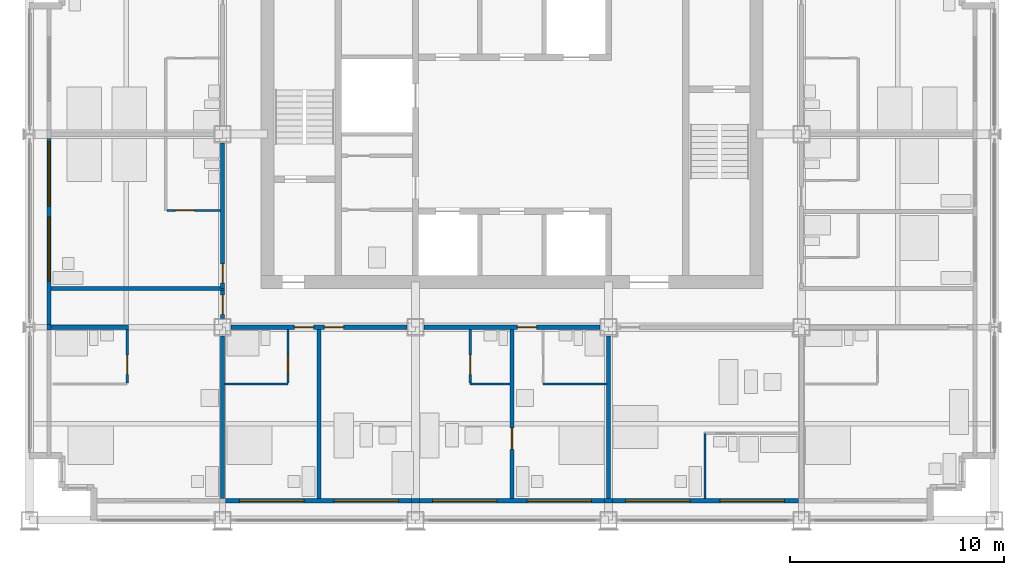
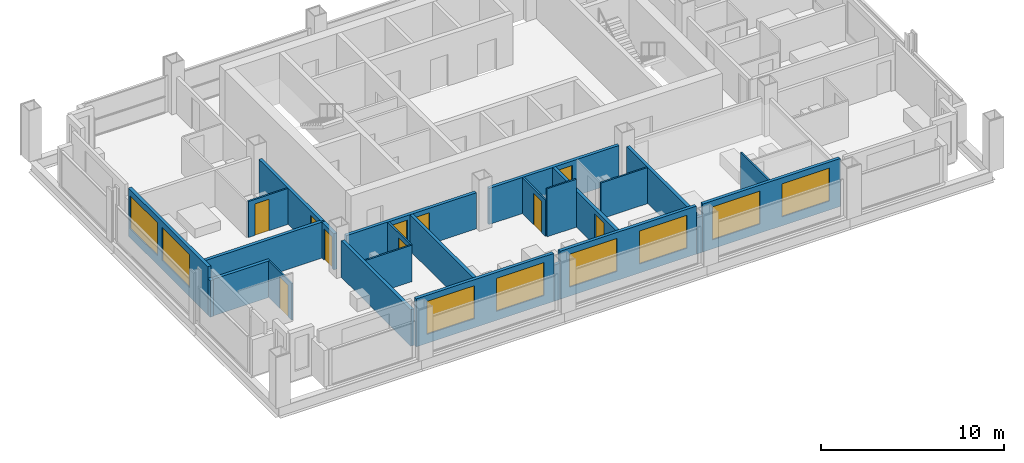
# One storey, part 7 of 13: 25 walls, 10 doors, 8 windows, 18 openings.
"""IFC4 building model written with IfcOpenShell, lengths in metres."""

from ifc_helpers import new_model, si_unit, direction, frame, frame_2d, origin, place, context, subcontext, project, spatial, rectangle, extrude, material, layer, layer_set, type_object, element, fill, save


model = new_model("IFC4")

# Units and contexts
model_context = context("Model", 3, precision=1e-05, world=origin(), true_north=direction((0.0, 1.0)))
body_context = subcontext(model_context, "Body", "Model", "MODEL_VIEW")
ifc_project = project(units=[si_unit("LENGTHUNIT", "METRE"), si_unit("AREAUNIT", "SQUARE_METRE"), si_unit("VOLUMEUNIT", "CUBIC_METRE"), si_unit("PLANEANGLEUNIT", "RADIAN"), si_unit("MASSUNIT", "GRAM", prefix="KILO")], contexts=[model_context])

# Site, building, storey
site_placement = place(None, origin())
site = spatial("IfcSite", under=ifc_project, at=site_placement, CompositionType="ELEMENT")
building_placement = place(site_placement, origin())
building = spatial("IfcBuilding", under=site, at=building_placement, Name="Loomwork Tower", CompositionType="ELEMENT")
storey_placement = place(building_placement, frame((0.0, 0.0, 194.39990234375)))
storey = spatial("IfcBuildingStorey", under=building, at=storey_placement, Name="L53", CompositionType="ELEMENT", Elevation=194.39990234375)

# Wall
ifc_material_1 = material(Name="Gypsum board on steel studs, one-hour", Category="steel")
ifc_layer_1 = layer(ifc_material_1, 0.199951171875)
ifc_layer_set_1 = layer_set([ifc_layer_1], Name="Corridor wall 200")
wall_type_1 = type_object("IfcWallType", Name="Corridor wall 200", PredefinedType="PARTITIONING", material=ifc_layer_set_1)
wall_1_placement = place(storey_placement, frame((1.0, 9.0, 0.0), z_axis=(0.0, 0.0, 1.0), x_axis=(1.0, 0.0, 0.0)))
element("IfcWall", 1, at=wall_1_placement, inside=storey, type_object=wall_type_1, Name="South corridor wall 1", PredefinedType="PARTITIONING", context=body_context, shape_type="SweptSolid", body=[
    extrude(rectangle(XDim=3.60009765625, YDim=0.199951171875, at=frame_2d((1.800048828125, 0.0))), origin(), (0.0, 0.0, 1.0), 2.43798828125),
])

# Wall, openings, doors
wall_2_placement = place(storey_placement, frame((9.39990234375, 9.0, 0.0), z_axis=(0.0, 0.0, 1.0), x_axis=(1.0, 0.0, 0.0)))
wall_2 = element("IfcWall", 2, at=wall_2_placement, inside=storey, type_object=wall_type_1, Name="South corridor wall 2", PredefinedType="PARTITIONING", context=body_context, shape_type="SweptSolid", body=[
    extrude(rectangle(XDim=8.2001953125, YDim=0.199951171875, at=frame_2d((4.10009765625, 0.0))), origin(), (0.0, 0.0, 1.0), 2.405029296875),
])
opening_1_placement = place(wall_2_placement, frame((2.949951171875, 0.0, 0.0)))
opening_1 = element("IfcOpeningElement", 3, at=opening_1_placement, cuts=wall_2, Name="Opening D1", PredefinedType="OPENING", context=body_context, shape_type="SweptSolid", body=[
    extrude(rectangle(XDim=0.89990234375, YDim=2.10009765625, at=frame_2d((0.449951171875, 1.050048828125))), frame((0.0, 0.10986328125, 0.0), z_axis=(0.0, -1.0, 0.0), x_axis=(1.0, 0.0, 0.0)), (0.0, 0.0, 1.0), 0.219970703125),
])
opening_2_placement = place(wall_2_placement, frame((4.35009765625, 0.0, 0.0)))
opening_2 = element("IfcOpeningElement", 4, at=opening_2_placement, cuts=wall_2, Name="Opening D1", PredefinedType="OPENING", context=body_context, shape_type="SweptSolid", body=[
    extrude(rectangle(XDim=0.89990234375, YDim=2.10009765625, at=frame_2d((0.449951171875, 1.050048828125))), frame((0.0, 0.10986328125, 0.0), z_axis=(0.0, -1.0, 0.0), x_axis=(1.0, 0.0, 0.0)), (0.0, 0.0, 1.0), 0.219970703125),
])
ifc_material_2 = material(Name="Hollow metal door and frame")
door_type_1 = type_object("IfcDoorType", Name="Guest room entry door 900", OperationType="SINGLE_SWING_LEFT", PredefinedType="DOOR", material=ifc_material_2)
door_1_placement = place(opening_1_placement, frame((0.89990234375, 0.0, 0.0), z_axis=(0.0, 0.0, 1.0), x_axis=(-1.0, 0.0, 0.0)))
door_1 = element("IfcDoor", 5, at=door_1_placement, inside=storey, type_object=door_type_1, Name="Guest room entry door L53 2", OperationType="SINGLE_SWING_LEFT", OverallHeight=2.10009765625, OverallWidth=0.89990234375, PredefinedType="DOOR", context=body_context, shape_type="SweptSolid", body=[
    extrude(rectangle(XDim=0.89990234375, YDim=2.10009765625, at=frame_2d((0.449951171875, 1.050048828125))), frame((0.0, 0.02490234375, 0.0), z_axis=(0.0, -1.0, 0.0), x_axis=(1.0, 0.0, 0.0)), (0.0, 0.0, 1.0), 0.050048828125),
])
fill(opening_1, door_1)
door_2_placement = place(opening_2_placement, frame((0.89990234375, 0.0, 0.0), z_axis=(0.0, 0.0, 1.0), x_axis=(-1.0, 0.0, 0.0)))
door_2 = element("IfcDoor", 6, at=door_2_placement, inside=storey, type_object=door_type_1, Name="Guest room entry door L53 3", OperationType="SINGLE_SWING_RIGHT", OverallHeight=2.10009765625, OverallWidth=0.89990234375, PredefinedType="DOOR", context=body_context, shape_type="SweptSolid", body=[
    extrude(rectangle(XDim=0.89990234375, YDim=2.10009765625, at=frame_2d((0.449951171875, 1.050048828125))), frame((0.0, 0.02490234375, 0.0), z_axis=(0.0, -1.0, 0.0), x_axis=(1.0, 0.0, 0.0)), (0.0, 0.0, 1.0), 0.050048828125),
])
fill(opening_2, door_2)

# Wall, opening, door
wall_3_placement = place(storey_placement, frame((18.39990234375, 9.0, 0.0), z_axis=(0.0, 0.0, 1.0), x_axis=(1.0, 0.0, 0.0)))
wall_3 = element("IfcWall", 7, at=wall_3_placement, inside=storey, type_object=wall_type_1, Name="South corridor wall 3", PredefinedType="PARTITIONING", context=body_context, shape_type="SweptSolid", body=[
    extrude(rectangle(XDim=8.2001953125, YDim=0.199951171875, at=frame_2d((4.10009765625, 0.0))), origin(), (0.0, 0.0, 1.0), 2.405029296875),
])
opening_3_placement = place(wall_3_placement, frame((4.35009765625, 0.0, 0.0)))
opening_3 = element("IfcOpeningElement", 8, at=opening_3_placement, cuts=wall_3, Name="Opening D1", PredefinedType="OPENING", context=body_context, shape_type="SweptSolid", body=[
    extrude(rectangle(XDim=0.89990234375, YDim=2.10009765625, at=frame_2d((0.449951171875, 1.050048828125))), frame((0.0, 0.10986328125, 0.0), z_axis=(0.0, -1.0, 0.0), x_axis=(1.0, 0.0, 0.0)), (0.0, 0.0, 1.0), 0.219970703125),
])
door_3_placement = place(opening_3_placement, frame((0.89990234375, 0.0, 0.0), z_axis=(0.0, 0.0, 1.0), x_axis=(-1.0, 0.0, 0.0)))
door_3 = element("IfcDoor", 9, at=door_3_placement, inside=storey, type_object=door_type_1, Name="Guest room entry door L53 4", OperationType="SINGLE_SWING_RIGHT", OverallHeight=2.10009765625, OverallWidth=0.89990234375, PredefinedType="DOOR", context=body_context, shape_type="SweptSolid", body=[
    extrude(rectangle(XDim=0.89990234375, YDim=2.10009765625, at=frame_2d((0.449951171875, 1.050048828125))), frame((0.0, 0.02490234375, 0.0), z_axis=(0.0, -1.0, 0.0), x_axis=(1.0, 0.0, 0.0)), (0.0, 0.0, 1.0), 0.050048828125),
])
fill(opening_3, door_3)

wall_4_placement = place(storey_placement, frame((9.0, 10.800048828125, 0.0), z_axis=(0.0, 0.0, 1.0), x_axis=(0.0, 1.0, 0.0)))
wall_4 = element("IfcWall", 10, at=wall_4_placement, inside=storey, type_object=wall_type_1, Name="West corridor wall 1", PredefinedType="PARTITIONING", context=body_context, shape_type="SweptSolid", body=[
    extrude(rectangle(XDim=6.800048828125, YDim=0.199951171875, at=frame_2d((3.39990234375, 0.0))), origin(), (0.0, 0.0, 1.0), 2.405029296875),
])
opening_4_placement = place(wall_4_placement, frame((0.25, 0.0, 0.0)))
opening_4 = element("IfcOpeningElement", 11, at=opening_4_placement, cuts=wall_4, Name="Opening D1", PredefinedType="OPENING", context=body_context, shape_type="SweptSolid", body=[
    extrude(rectangle(XDim=0.89990234375, YDim=2.10009765625, at=frame_2d((0.449951171875, 1.050048828125))), frame((0.0, 0.10986328125, 0.0), z_axis=(0.0, -1.0, 0.0), x_axis=(1.0, 0.0, 0.0)), (0.0, 0.0, 1.0), 0.219970703125),
])
door_4_placement = place(opening_4_placement, origin())
door_4 = element("IfcDoor", 12, at=door_4_placement, inside=storey, type_object=door_type_1, Name="Guest room entry door L53 7", OperationType="SINGLE_SWING_LEFT", OverallHeight=2.10009765625, OverallWidth=0.89990234375, PredefinedType="DOOR", context=body_context, shape_type="SweptSolid", body=[
    extrude(rectangle(XDim=0.89990234375, YDim=2.10009765625, at=frame_2d((0.449951171875, 1.050048828125))), frame((0.0, 0.02490234375, 0.0), z_axis=(0.0, -1.0, 0.0), x_axis=(1.0, 0.0, 0.0)), (0.0, 0.0, 1.0), 0.050048828125),
])
fill(opening_4, door_4)

# Wall
wall_5_placement = place(storey_placement, frame((1.0, 10.800048828125, 0.0), z_axis=(0.0, 0.0, 1.0), x_axis=(1.0, 0.0, 0.0)))
element("IfcWall", 13, at=wall_5_placement, inside=storey, type_object=wall_type_1, Name="West band end wall S", PredefinedType="PARTITIONING", context=body_context, shape_type="SweptSolid", body=[
    extrude(rectangle(XDim=8.10009765625, YDim=0.199951171875, at=frame_2d((4.050048828125, 0.0))), origin(), (0.0, 0.0, 1.0), 2.404052734375),
])

# Wall, opening, door
wall_6_placement = place(storey_placement, frame((9.0, 9.39990234375, 0.0), z_axis=(0.0, 0.0, 1.0), x_axis=(0.0, 1.0, 0.0)))
wall_6 = element("IfcWall", 14, at=wall_6_placement, inside=storey, type_object=wall_type_1, Name="Corner suite foyer wall", PredefinedType="PARTITIONING", context=body_context, shape_type="SweptSolid", body=[
    extrude(rectangle(XDim=1.300048828125, YDim=0.199951171875, at=frame_2d((0.64990234375, 0.0))), origin(), (0.0, 0.0, 1.0), 2.405029296875),
])
opening_5_placement = place(wall_6_placement, frame((0.199951171875, 0.0, 0.0)))
opening_5 = element("IfcOpeningElement", 15, at=opening_5_placement, cuts=wall_6, Name="Opening D1", PredefinedType="OPENING", context=body_context, shape_type="SweptSolid", body=[
    extrude(rectangle(XDim=0.89990234375, YDim=2.10009765625, at=frame_2d((0.449951171875, 1.050048828125))), frame((0.0, 0.10986328125, 0.0), z_axis=(0.0, -1.0, 0.0), x_axis=(1.0, 0.0, 0.0)), (0.0, 0.0, 1.0), 0.219970703125),
])
door_5_placement = place(opening_5_placement, origin())
door_5 = element("IfcDoor", 16, at=door_5_placement, inside=storey, type_object=door_type_1, Name="Guest room entry door L53 1", OperationType="SINGLE_SWING_RIGHT", OverallHeight=2.10009765625, OverallWidth=0.89990234375, PredefinedType="DOOR", context=body_context, shape_type="SweptSolid", body=[
    extrude(rectangle(XDim=0.89990234375, YDim=2.10009765625, at=frame_2d((0.449951171875, 1.050048828125))), frame((0.0, 0.02490234375, 0.0), z_axis=(0.0, -1.0, 0.0), x_axis=(1.0, 0.0, 0.0)), (0.0, 0.0, 1.0), 0.050048828125),
])
fill(opening_5, door_5)

ifc_material_3 = material(Name="Cement board on steel studs", Category="steel")
ifc_layer_2 = layer(ifc_material_3, 0.10009765625)
ifc_layer_set_2 = layer_set([ifc_layer_2], Name="En-suite partition 100")
wall_type_2 = type_object("IfcWallType", Name="En-suite partition 100", PredefinedType="PARTITIONING", material=ifc_layer_set_2)
wall_7_placement = place(storey_placement, frame((4.550048828125, 8.89990234375, 0.0), z_axis=(0.0, 0.0, 1.0), x_axis=(0.0, -1.0, 0.0)))
wall_7 = element("IfcWall", 17, at=wall_7_placement, inside=storey, type_object=wall_type_2, Name="En-suite side wall L53 room 1", PredefinedType="PARTITIONING", context=body_context, shape_type="SweptSolid", body=[
    extrude(rectangle(XDim=2.5, YDim=0.10009765625, at=frame_2d((1.25, 0.0))), origin(), (0.0, 0.0, 1.0), 2.43798828125),
])
opening_6_placement = place(wall_7_placement, frame((1.199951171875, 0.0, 0.0)))
opening_6 = element("IfcOpeningElement", 18, at=opening_6_placement, cuts=wall_7, Name="Opening D3", PredefinedType="OPENING", context=body_context, shape_type="SweptSolid", body=[
    extrude(rectangle(XDim=0.89990234375, YDim=2.10009765625, at=frame_2d((0.449951171875, 1.050048828125))), frame((0.0, 0.06005859375, 0.0), z_axis=(0.0, -1.0, 0.0), x_axis=(1.0, 0.0, 0.0)), (0.0, 0.0, 1.0), 0.1201171875),
])
ifc_material_4 = material(Name="Hollow metal door and frame")
door_type_2 = type_object("IfcDoorType", Name="Accessible en-suite door 900", OperationType="SLIDING_TO_LEFT", PredefinedType="DOOR", material=ifc_material_4)
door_6_placement = place(opening_6_placement, origin())
door_6 = element("IfcDoor", 19, at=door_6_placement, inside=storey, type_object=door_type_2, Name="Accessible en-suite door room 1", OperationType="SLIDING_TO_LEFT", OverallHeight=2.10009765625, OverallWidth=0.89990234375, PredefinedType="DOOR", context=body_context, shape_type="SweptSolid", body=[
    extrude(rectangle(XDim=0.89990234375, YDim=2.10009765625, at=frame_2d((0.449951171875, 1.050048828125))), frame((0.0, 0.02490234375, 0.0), z_axis=(0.0, -1.0, 0.0), x_axis=(1.0, 0.0, 0.0)), (0.0, 0.0, 1.0), 0.050048828125),
])
fill(opening_6, door_6)

# Wall
wall_8_placement = place(storey_placement, frame((9.10009765625, 6.35009765625, 0.0), z_axis=(0.0, 0.0, 1.0), x_axis=(1.0, 0.0, 0.0)))
element("IfcWall", 20, at=wall_8_placement, inside=storey, type_object=wall_type_2, Name="En-suite wall L53 room 2", PredefinedType="PARTITIONING", context=body_context, shape_type="SweptSolid", body=[
    extrude(rectangle(XDim=2.949951171875, YDim=0.10009765625, at=frame_2d((1.47509765625, 0.0))), origin(), (0.0, 0.0, 1.0), 2.43798828125),
])

# Wall, opening, door
wall_9_placement = place(storey_placement, frame((12.050048828125, 8.89990234375, 0.0), z_axis=(0.0, 0.0, 1.0), x_axis=(0.0, -1.0, 0.0)))
wall_9 = element("IfcWall", 21, at=wall_9_placement, inside=storey, type_object=wall_type_2, Name="En-suite side wall L53 room 2", PredefinedType="PARTITIONING", context=body_context, shape_type="SweptSolid", body=[
    extrude(rectangle(XDim=2.5, YDim=0.10009765625, at=frame_2d((1.25, 0.0))), origin(), (0.0, 0.0, 1.0), 2.404052734375),
])
opening_7_placement = place(wall_9_placement, frame((1.199951171875, 0.0, 0.0)))
opening_7 = element("IfcOpeningElement", 22, at=opening_7_placement, cuts=wall_9, Name="Opening D3", PredefinedType="OPENING", context=body_context, shape_type="SweptSolid", body=[
    extrude(rectangle(XDim=0.89990234375, YDim=2.10009765625, at=frame_2d((0.449951171875, 1.050048828125))), frame((0.0, 0.06005859375, 0.0), z_axis=(0.0, -1.0, 0.0), x_axis=(1.0, 0.0, 0.0)), (0.0, 0.0, 1.0), 0.1201171875),
])
door_7_placement = place(opening_7_placement, origin())
door_7 = element("IfcDoor", 23, at=door_7_placement, inside=storey, type_object=door_type_2, Name="Accessible en-suite door room 2", OperationType="SLIDING_TO_LEFT", OverallHeight=2.10009765625, OverallWidth=0.89990234375, PredefinedType="DOOR", context=body_context, shape_type="SweptSolid", body=[
    extrude(rectangle(XDim=0.89990234375, YDim=2.10009765625, at=frame_2d((0.449951171875, 1.050048828125))), frame((0.0, 0.02490234375, 0.0), z_axis=(0.0, -1.0, 0.0), x_axis=(1.0, 0.0, 0.0)), (0.0, 0.0, 1.0), 0.050048828125),
])
fill(opening_7, door_7)

# Wall
wall_10_placement = place(storey_placement, frame((20.550048828125, 6.35009765625, 0.0), z_axis=(0.0, 0.0, 1.0), x_axis=(1.0, 0.0, 0.0)))
element("IfcWall", 24, at=wall_10_placement, inside=storey, type_object=wall_type_2, Name="En-suite wall L53 room 3", PredefinedType="PARTITIONING", context=body_context, shape_type="SweptSolid", body=[
    extrude(rectangle(XDim=1.849853515625, YDim=0.10009765625, at=frame_2d((0.9248046875, 0.0))), origin(), (0.0, 0.0, 1.0), 3.2001953125),
])

# Wall, opening, door
wall_11_placement = place(storey_placement, frame((20.550048828125, 8.89990234375, 0.0), z_axis=(0.0, 0.0, 1.0), x_axis=(0.0, -1.0, 0.0)))
wall_11 = element("IfcWall", 25, at=wall_11_placement, inside=storey, type_object=wall_type_2, Name="En-suite side wall L53 room 3", PredefinedType="PARTITIONING", context=body_context, shape_type="SweptSolid", body=[
    extrude(rectangle(XDim=2.5, YDim=0.10009765625, at=frame_2d((1.25, 0.0))), origin(), (0.0, 0.0, 1.0), 2.404052734375),
])
opening_8_placement = place(wall_11_placement, frame((1.199951171875, 0.0, 0.0)))
opening_8 = element("IfcOpeningElement", 26, at=opening_8_placement, cuts=wall_11, Name="Opening D2", PredefinedType="OPENING", context=body_context, shape_type="SweptSolid", body=[
    extrude(rectangle(XDim=0.89990234375, YDim=2.10009765625, at=frame_2d((0.449951171875, 1.050048828125))), frame((0.0, 0.06005859375, 0.0), z_axis=(0.0, -1.0, 0.0), x_axis=(1.0, 0.0, 0.0)), (0.0, 0.0, 1.0), 0.1201171875),
])
ifc_material_5 = material(Name="Hollow metal door and frame")
door_type_3 = type_object("IfcDoorType", Name="En-suite door 900", OperationType="SINGLE_SWING_LEFT", PredefinedType="DOOR", material=ifc_material_5)
door_8_placement = place(opening_8_placement, origin())
door_8 = element("IfcDoor", 27, at=door_8_placement, inside=storey, type_object=door_type_3, Name="Suite powder room door room 3", OperationType="SINGLE_SWING_RIGHT", OverallHeight=2.10009765625, OverallWidth=0.89990234375, PredefinedType="DOOR", context=body_context, shape_type="SweptSolid", body=[
    extrude(rectangle(XDim=0.89990234375, YDim=2.10009765625, at=frame_2d((0.449951171875, 1.050048828125))), frame((0.0, 0.02490234375, 0.0), z_axis=(0.0, -1.0, 0.0), x_axis=(1.0, 0.0, 0.0)), (0.0, 0.0, 1.0), 0.050048828125),
])
fill(opening_8, door_8)

# Walls
wall_12_placement = place(storey_placement, frame((23.949951171875, 6.35009765625, 0.0), z_axis=(0.0, 0.0, 1.0), x_axis=(1.0, 0.0, 0.0)))
element("IfcWall", 28, at=wall_12_placement, inside=storey, type_object=wall_type_2, Name="En-suite wall L53 room 4", PredefinedType="PARTITIONING", context=body_context, shape_type="SweptSolid", body=[
    extrude(rectangle(XDim=2.949951171875, YDim=0.10009765625, at=frame_2d((1.47509765625, 0.0))), origin(), (0.0, 0.0, 1.0), 2.404052734375),
])
wall_13_placement = place(storey_placement, frame((31.5, 4.050048828125, 0.0), z_axis=(0.0, 0.0, 1.0), x_axis=(0.0, -1.0, 0.0)))
element("IfcWall", 29, at=wall_13_placement, inside=storey, type_object=wall_type_2, Name="Spa bathroom side wall L53 room 5", PredefinedType="PARTITIONING", context=body_context, shape_type="SweptSolid", body=[
    extrude(rectangle(XDim=3.050048828125, YDim=0.10009765625, at=frame_2d((1.52490234375, 0.0))), origin(), (0.0, 0.0, 1.0), 3.2001953125),
])

# Wall, opening, door
wall_14_placement = place(storey_placement, frame((8.89990234375, 14.449951171875, 0.0), z_axis=(0.0, 0.0, 1.0), x_axis=(-1.0, 0.0, 0.0)))
wall_14 = element("IfcWall", 30, at=wall_14_placement, inside=storey, type_object=wall_type_2, Name="En-suite side wall L53 room 7", PredefinedType="PARTITIONING", context=body_context, shape_type="SweptSolid", body=[
    extrude(rectangle(XDim=2.5, YDim=0.10009765625, at=frame_2d((1.25, 0.0))), origin(), (0.0, 0.0, 1.0), 2.404052734375),
])
opening_9_placement = place(wall_14_placement, frame((1.199951171875, 0.0, 0.0)))
opening_9 = element("IfcOpeningElement", 31, at=opening_9_placement, cuts=wall_14, Name="Opening D2", PredefinedType="OPENING", context=body_context, shape_type="SweptSolid", body=[
    extrude(rectangle(XDim=0.89990234375, YDim=2.10009765625, at=frame_2d((0.449951171875, 1.050048828125))), frame((0.0, 0.06005859375, 0.0), z_axis=(0.0, -1.0, 0.0), x_axis=(1.0, 0.0, 0.0)), (0.0, 0.0, 1.0), 0.1201171875),
])
door_9_placement = place(opening_9_placement, frame((0.89990234375, 0.0, 0.0), z_axis=(0.0, 0.0, 1.0), x_axis=(-1.0, 0.0, 0.0)))
door_9 = element("IfcDoor", 32, at=door_9_placement, inside=storey, type_object=door_type_3, Name="En-suite door room 7", OperationType="SINGLE_SWING_LEFT", OverallHeight=2.10009765625, OverallWidth=0.89990234375, PredefinedType="DOOR", context=body_context, shape_type="SweptSolid", body=[
    extrude(rectangle(XDim=0.89990234375, YDim=2.10009765625, at=frame_2d((0.449951171875, 1.050048828125))), frame((0.0, 0.02490234375, 0.0), z_axis=(0.0, -1.0, 0.0), x_axis=(1.0, 0.0, 0.0)), (0.0, 0.0, 1.0), 0.050048828125),
])
fill(opening_9, door_9)

# Walls
ifc_material_6 = material(Name="Gypsum board on steel studs, acoustic", Category="steel")
ifc_layer_3 = layer(ifc_material_6, 0.199951171875)
ifc_layer_set_3 = layer_set([ifc_layer_3], Name="Guest room party wall 200")
wall_type_3 = type_object("IfcWallType", Name="Guest room party wall 200", PredefinedType="PARTITIONING", material=ifc_layer_set_3)
wall_15_placement = place(storey_placement, frame((9.0, 8.60009765625, 0.0), z_axis=(0.0, 0.0, 1.0), x_axis=(0.0, -1.0, 0.0)))
element("IfcWall", 33, at=wall_15_placement, inside=storey, type_object=wall_type_3, Name="Guest room party wall S 9", PredefinedType="PARTITIONING", context=body_context, shape_type="SweptSolid", body=[
    extrude(rectangle(XDim=7.60009765625, YDim=0.199951171875, at=frame_2d((3.800048828125, 0.0))), origin(), (0.0, 0.0, 1.0), 2.43798828125),
])
wall_16_placement = place(storey_placement, frame((13.5, 8.89990234375, 0.0), z_axis=(0.0, 0.0, 1.0), x_axis=(0.0, -1.0, 0.0)))
element("IfcWall", 34, at=wall_16_placement, inside=storey, type_object=wall_type_3, Name="Guest room party wall S 13.5", PredefinedType="PARTITIONING", context=body_context, shape_type="SweptSolid", body=[
    extrude(rectangle(XDim=7.89990234375, YDim=0.199951171875, at=frame_2d((3.949951171875, 0.0))), origin(), (0.0, 0.0, 1.0), 2.404052734375),
])

# Wall, opening, door
wall_17_placement = place(storey_placement, frame((22.5, 8.89990234375, 0.0), z_axis=(0.0, 0.0, 1.0), x_axis=(0.0, -1.0, 0.0)))
wall_17 = element("IfcWall", 35, at=wall_17_placement, inside=storey, type_object=wall_type_3, Name="Guest room party wall S 22.5", PredefinedType="PARTITIONING", context=body_context, shape_type="SweptSolid", body=[
    extrude(rectangle(XDim=7.89990234375, YDim=0.199951171875, at=frame_2d((3.949951171875, 0.0))), origin(), (0.0, 0.0, 1.0), 2.404052734375),
])
opening_10_placement = place(wall_17_placement, frame((4.60009765625, 0.0, 0.0)))
opening_10 = element("IfcOpeningElement", 36, at=opening_10_placement, cuts=wall_17, Name="Opening D7", PredefinedType="OPENING", context=body_context, shape_type="SweptSolid", body=[
    extrude(rectangle(XDim=1.0, YDim=2.10009765625, at=frame_2d((0.5, 1.050048828125))), frame((0.0, 0.10986328125, 0.0), z_axis=(0.0, -1.0, 0.0), x_axis=(1.0, 0.0, 0.0)), (0.0, 0.0, 1.0), 0.219970703125),
])
ifc_material_7 = material(Name="Hollow metal door and frame")
door_type_4 = type_object("IfcDoorType", Name="Room door 1000", OperationType="SINGLE_SWING_LEFT", PredefinedType="DOOR", material=ifc_material_7)
door_10_placement = place(opening_10_placement, origin())
door_10 = element("IfcDoor", 37, at=door_10_placement, inside=storey, type_object=door_type_4, Name="Suite connecting door L53 S 22.5", OperationType="SINGLE_SWING_LEFT", OverallHeight=2.10009765625, OverallWidth=1.0, PredefinedType="DOOR", context=body_context, shape_type="SweptSolid", body=[
    extrude(rectangle(XDim=1.0, YDim=2.10009765625, at=frame_2d((0.5, 1.050048828125))), frame((0.0, 0.02490234375, 0.0), z_axis=(0.0, -1.0, 0.0), x_axis=(1.0, 0.0, 0.0)), (0.0, 0.0, 1.0), 0.050048828125),
])
fill(opening_10, door_10)

# Wall
wall_18_placement = place(storey_placement, frame((27.0, 8.60009765625, 0.0), z_axis=(0.0, 0.0, 1.0), x_axis=(0.0, -1.0, 0.0)))
element("IfcWall", 38, at=wall_18_placement, inside=storey, type_object=wall_type_3, Name="Guest room party wall S 27", PredefinedType="PARTITIONING", context=body_context, shape_type="SweptSolid", body=[
    extrude(rectangle(XDim=7.60009765625, YDim=0.199951171875, at=frame_2d((3.800048828125, 0.0))), origin(), (0.0, 0.0, 1.0), 2.405029296875),
])

# Wall, openings, windows
ifc_material_8 = material(Name="Insulated steel stud wall with gypsum lining", Category="steel")
ifc_layer_4 = layer(ifc_material_8, 0.199951171875)
ifc_layer_set_4 = layer_set([ifc_layer_4], Name="Inner skin wall 200")
wall_type_4 = type_object("IfcWallType", Name="Inner skin wall 200", PredefinedType="SOLIDWALL", material=ifc_layer_set_4)
wall_19_placement = place(storey_placement, frame((9.13525390625, 0.89990234375, 0.0), z_axis=(0.0, 0.0, 1.0), x_axis=(1.0, 0.0, 0.0)))
wall_19 = element("IfcWall", 39, at=wall_19_placement, inside=storey, type_object=wall_type_4, Name="Inner skin wall S bay 3", PredefinedType="SOLIDWALL", context=body_context, shape_type="SweptSolid", body=[
    extrude(rectangle(XDim=8.6708984375, YDim=0.199951171875, at=frame_2d((4.33544921875, 0.0))), origin(), (0.0, 0.0, 1.0), 3.2001953125),
])
opening_11_placement = place(wall_19_placement, frame((0.664794921875, 0.0, 0.60009765625)))
opening_11 = element("IfcOpeningElement", 40, at=opening_11_placement, cuts=wall_19, Name="Opening CH1", PredefinedType="OPENING", context=body_context, shape_type="SweptSolid", body=[
    extrude(rectangle(XDim=3.0, YDim=2.199951171875, at=frame_2d((1.5, 1.10009765625))), frame((0.0, 0.10986328125, 0.0), z_axis=(0.0, -1.0, 0.0), x_axis=(1.0, 0.0, 0.0)), (0.0, 0.0, 1.0), 0.219970703125),
])
opening_12_placement = place(wall_19_placement, frame((5.064697265625, 0.0, 0.60009765625)))
opening_12 = element("IfcOpeningElement", 41, at=opening_12_placement, cuts=wall_19, Name="Opening CH1", PredefinedType="OPENING", context=body_context, shape_type="SweptSolid", body=[
    extrude(rectangle(XDim=3.0, YDim=2.199951171875, at=frame_2d((1.5, 1.10009765625))), frame((0.0, 0.10986328125, 0.0), z_axis=(0.0, -1.0, 0.0), x_axis=(1.0, 0.0, 0.0)), (0.0, 0.0, 1.0), 0.219970703125),
])
ifc_material_9 = material(Name="Aluminium frame with clear insulated glass", Category="aluminium")
window_type = type_object("IfcWindowType", Name="Chicago window 3000", PartitioningType="TRIPLE_PANEL_VERTICAL", PredefinedType="WINDOW", material=ifc_material_9)
window_1_placement = place(opening_11_placement, origin())
window_1 = element("IfcWindow", 42, at=window_1_placement, inside=storey, type_object=window_type, Name="Chicago window L53 bay 2", OverallHeight=2.199951171875, OverallWidth=3.0, PartitioningType="TRIPLE_PANEL_VERTICAL", PredefinedType="WINDOW", context=body_context, shape_type="SweptSolid", body=[
    extrude(rectangle(XDim=3.0, YDim=2.199951171875, at=frame_2d((1.5, 1.10009765625))), frame((0.0, 0.030029296875, 0.0), z_axis=(0.0, -1.0, 0.0), x_axis=(1.0, 0.0, 0.0)), (0.0, 0.0, 1.0), 0.06005859375),
])
fill(opening_11, window_1)
window_2_placement = place(opening_12_placement, origin())
window_2 = element("IfcWindow", 43, at=window_2_placement, inside=storey, type_object=window_type, Name="Chicago window L53 bay 2", OverallHeight=2.199951171875, OverallWidth=3.0, PartitioningType="TRIPLE_PANEL_VERTICAL", PredefinedType="WINDOW", context=body_context, shape_type="SweptSolid", body=[
    extrude(rectangle(XDim=3.0, YDim=2.199951171875, at=frame_2d((1.5, 1.10009765625))), frame((0.0, 0.030029296875, 0.0), z_axis=(0.0, -1.0, 0.0), x_axis=(1.0, 0.0, 0.0)), (0.0, 0.0, 1.0), 0.06005859375),
])
fill(opening_12, window_2)

# Wall
wall_20_placement = place(storey_placement, frame((17.80615234375, 0.89990234375, 0.0), z_axis=(0.0, 0.0, 1.0), x_axis=(1.0, 0.0, 0.0)))
element("IfcWall", 44, at=wall_20_placement, inside=storey, type_object=wall_type_4, Name="Inner skin wall S bay 4", PredefinedType="SOLIDWALL", context=body_context, shape_type="SweptSolid", body=[
    extrude(rectangle(XDim=0.3876953125, YDim=0.199951171875, at=frame_2d((0.19384765625, 0.0))), origin(), (0.0, 0.0, 1.0), 2.404052734375),
])

# Wall, openings, windows
wall_21_placement = place(storey_placement, frame((18.19384765625, 0.89990234375, 0.0), z_axis=(0.0, 0.0, 1.0), x_axis=(1.0, 0.0, 0.0)))
wall_21 = element("IfcWall", 45, at=wall_21_placement, inside=storey, type_object=wall_type_4, Name="Inner skin wall S bay 5", PredefinedType="SOLIDWALL", context=body_context, shape_type="SweptSolid", body=[
    extrude(rectangle(XDim=8.6123046875, YDim=0.199951171875, at=frame_2d((4.30615234375, 0.0))), origin(), (0.0, 0.0, 1.0), 3.2001953125),
])
opening_13_placement = place(wall_21_placement, frame((0.606201171875, 0.0, 0.60009765625)))
opening_13 = element("IfcOpeningElement", 46, at=opening_13_placement, cuts=wall_21, Name="Opening CH1", PredefinedType="OPENING", context=body_context, shape_type="SweptSolid", body=[
    extrude(rectangle(XDim=3.0, YDim=2.199951171875, at=frame_2d((1.5, 1.10009765625))), frame((0.0, 0.10986328125, 0.0), z_axis=(0.0, -1.0, 0.0), x_axis=(1.0, 0.0, 0.0)), (0.0, 0.0, 1.0), 0.219970703125),
])
opening_14_placement = place(wall_21_placement, frame((5.006103515625, 0.0, 0.60009765625)))
opening_14 = element("IfcOpeningElement", 47, at=opening_14_placement, cuts=wall_21, Name="Opening CH1", PredefinedType="OPENING", context=body_context, shape_type="SweptSolid", body=[
    extrude(rectangle(XDim=3.0, YDim=2.199951171875, at=frame_2d((1.5, 1.10009765625))), frame((0.0, 0.10986328125, 0.0), z_axis=(0.0, -1.0, 0.0), x_axis=(1.0, 0.0, 0.0)), (0.0, 0.0, 1.0), 0.219970703125),
])
window_3_placement = place(opening_13_placement, origin())
window_3 = element("IfcWindow", 48, at=window_3_placement, inside=storey, type_object=window_type, Name="Chicago window L53 bay 3", OverallHeight=2.199951171875, OverallWidth=3.0, PartitioningType="TRIPLE_PANEL_VERTICAL", PredefinedType="WINDOW", context=body_context, shape_type="SweptSolid", body=[
    extrude(rectangle(XDim=3.0, YDim=2.199951171875, at=frame_2d((1.5, 1.10009765625))), frame((0.0, 0.030029296875, 0.0), z_axis=(0.0, -1.0, 0.0), x_axis=(1.0, 0.0, 0.0)), (0.0, 0.0, 1.0), 0.06005859375),
])
fill(opening_13, window_3)
window_4_placement = place(opening_14_placement, origin())
window_4 = element("IfcWindow", 49, at=window_4_placement, inside=storey, type_object=window_type, Name="Chicago window L53 bay 3", OverallHeight=2.199951171875, OverallWidth=3.0, PartitioningType="TRIPLE_PANEL_VERTICAL", PredefinedType="WINDOW", context=body_context, shape_type="SweptSolid", body=[
    extrude(rectangle(XDim=3.0, YDim=2.199951171875, at=frame_2d((1.5, 1.10009765625))), frame((0.0, 0.030029296875, 0.0), z_axis=(0.0, -1.0, 0.0), x_axis=(1.0, 0.0, 0.0)), (0.0, 0.0, 1.0), 0.06005859375),
])
fill(opening_14, window_4)

# Wall
wall_22_placement = place(storey_placement, frame((26.80615234375, 0.89990234375, 0.0), z_axis=(0.0, 0.0, 1.0), x_axis=(1.0, 0.0, 0.0)))
element("IfcWall", 50, at=wall_22_placement, inside=storey, type_object=wall_type_4, Name="Inner skin wall S bay 6", PredefinedType="SOLIDWALL", context=body_context, shape_type="SweptSolid", body=[
    extrude(rectangle(XDim=0.3876953125, YDim=0.199951171875, at=frame_2d((0.19384765625, 0.0))), origin(), (0.0, 0.0, 1.0), 2.404052734375),
])

# Wall, openings, windows
wall_23_placement = place(storey_placement, frame((27.19384765625, 0.89990234375, 0.0), z_axis=(0.0, 0.0, 1.0), x_axis=(1.0, 0.0, 0.0)))
wall_23 = element("IfcWall", 51, at=wall_23_placement, inside=storey, type_object=wall_type_4, Name="Inner skin wall S bay 7", PredefinedType="SOLIDWALL", context=body_context, shape_type="SweptSolid", body=[
    extrude(rectangle(XDim=8.670654296875, YDim=0.199951171875, at=frame_2d((4.33544921875, 0.0))), origin(), (0.0, 0.0, 1.0), 3.2001953125),
])
opening_15_placement = place(wall_23_placement, frame((0.606201171875, 0.0, 0.60009765625)))
opening_15 = element("IfcOpeningElement", 52, at=opening_15_placement, cuts=wall_23, Name="Opening CH1", PredefinedType="OPENING", context=body_context, shape_type="SweptSolid", body=[
    extrude(rectangle(XDim=3.0, YDim=2.199951171875, at=frame_2d((1.5, 1.10009765625))), frame((0.0, 0.10986328125, 0.0), z_axis=(0.0, -1.0, 0.0), x_axis=(1.0, 0.0, 0.0)), (0.0, 0.0, 1.0), 0.219970703125),
])
opening_16_placement = place(wall_23_placement, frame((5.006103515625, 0.0, 0.60009765625)))
opening_16 = element("IfcOpeningElement", 53, at=opening_16_placement, cuts=wall_23, Name="Opening CH1", PredefinedType="OPENING", context=body_context, shape_type="SweptSolid", body=[
    extrude(rectangle(XDim=3.0, YDim=2.199951171875, at=frame_2d((1.5, 1.10009765625))), frame((0.0, 0.10986328125, 0.0), z_axis=(0.0, -1.0, 0.0), x_axis=(1.0, 0.0, 0.0)), (0.0, 0.0, 1.0), 0.219970703125),
])
window_5_placement = place(opening_15_placement, origin())
window_5 = element("IfcWindow", 54, at=window_5_placement, inside=storey, type_object=window_type, Name="Chicago window L53 bay 4", OverallHeight=2.199951171875, OverallWidth=3.0, PartitioningType="TRIPLE_PANEL_VERTICAL", PredefinedType="WINDOW", context=body_context, shape_type="SweptSolid", body=[
    extrude(rectangle(XDim=3.0, YDim=2.199951171875, at=frame_2d((1.5, 1.10009765625))), frame((0.0, 0.030029296875, 0.0), z_axis=(0.0, -1.0, 0.0), x_axis=(1.0, 0.0, 0.0)), (0.0, 0.0, 1.0), 0.06005859375),
])
fill(opening_15, window_5)
window_6_placement = place(opening_16_placement, origin())
window_6 = element("IfcWindow", 55, at=window_6_placement, inside=storey, type_object=window_type, Name="Chicago window L53 bay 4", OverallHeight=2.199951171875, OverallWidth=3.0, PartitioningType="TRIPLE_PANEL_VERTICAL", PredefinedType="WINDOW", context=body_context, shape_type="SweptSolid", body=[
    extrude(rectangle(XDim=3.0, YDim=2.199951171875, at=frame_2d((1.5, 1.10009765625))), frame((0.0, 0.030029296875, 0.0), z_axis=(0.0, -1.0, 0.0), x_axis=(1.0, 0.0, 0.0)), (0.0, 0.0, 1.0), 0.06005859375),
])
fill(opening_16, window_6)

# Wall
wall_24_placement = place(storey_placement, frame((0.89990234375, 8.86474609375, 0.0), z_axis=(0.0, 0.0, 1.0), x_axis=(0.0, 1.0, 0.0)))
element("IfcWall", 56, at=wall_24_placement, inside=storey, type_object=wall_type_4, Name="Inner skin wall W bay 4", PredefinedType="SOLIDWALL", context=body_context, shape_type="SweptSolid", body=[
    extrude(rectangle(XDim=0.2705078125, YDim=0.199951171875, at=frame_2d((0.13525390625, 0.0))), origin(), (0.0, 0.0, 1.0), 2.43798828125),
])

# Wall, openings, windows
wall_25_placement = place(storey_placement, frame((0.89990234375, 9.13525390625, 0.0), z_axis=(0.0, 0.0, 1.0), x_axis=(0.0, 1.0, 0.0)))
wall_25 = element("IfcWall", 57, at=wall_25_placement, inside=storey, type_object=wall_type_4, Name="Inner skin wall W bay 5", PredefinedType="SOLIDWALL", context=body_context, shape_type="SweptSolid", body=[
    extrude(rectangle(XDim=8.6708984375, YDim=0.199951171875, at=frame_2d((4.33544921875, 0.0))), origin(), (0.0, 0.0, 1.0), 3.2001953125),
])
opening_17_placement = place(wall_25_placement, frame((2.0146484375, 0.0, 0.60009765625)))
opening_17 = element("IfcOpeningElement", 58, at=opening_17_placement, cuts=wall_25, Name="Opening CH1", PredefinedType="OPENING", context=body_context, shape_type="SweptSolid", body=[
    extrude(rectangle(XDim=3.0, YDim=2.199951171875, at=frame_2d((1.5, 1.10009765625))), frame((0.0, 0.10986328125, 0.0), z_axis=(0.0, -1.0, 0.0), x_axis=(1.0, 0.0, 0.0)), (0.0, 0.0, 1.0), 0.219970703125),
])
opening_18_placement = place(wall_25_placement, frame((5.5146484375, 0.0, 0.60009765625)))
opening_18 = element("IfcOpeningElement", 59, at=opening_18_placement, cuts=wall_25, Name="Opening CH1", PredefinedType="OPENING", context=body_context, shape_type="SweptSolid", body=[
    extrude(rectangle(XDim=3.0, YDim=2.199951171875, at=frame_2d((1.5, 1.10009765625))), frame((0.0, 0.10986328125, 0.0), z_axis=(0.0, -1.0, 0.0), x_axis=(1.0, 0.0, 0.0)), (0.0, 0.0, 1.0), 0.219970703125),
])
window_7_placement = place(opening_17_placement, origin())
window_7 = element("IfcWindow", 60, at=window_7_placement, inside=storey, type_object=window_type, Name="Chicago window L53 bay 6", OverallHeight=2.199951171875, OverallWidth=3.0, PartitioningType="TRIPLE_PANEL_VERTICAL", PredefinedType="WINDOW", context=body_context, shape_type="SweptSolid", body=[
    extrude(rectangle(XDim=3.0, YDim=2.199951171875, at=frame_2d((1.5, 1.10009765625))), frame((0.0, 0.030029296875, 0.0), z_axis=(0.0, -1.0, 0.0), x_axis=(1.0, 0.0, 0.0)), (0.0, 0.0, 1.0), 0.06005859375),
])
fill(opening_17, window_7)
window_8_placement = place(opening_18_placement, origin())
window_8 = element("IfcWindow", 61, at=window_8_placement, inside=storey, type_object=window_type, Name="Chicago window L53 bay 6", OverallHeight=2.199951171875, OverallWidth=3.0, PartitioningType="TRIPLE_PANEL_VERTICAL", PredefinedType="WINDOW", context=body_context, shape_type="SweptSolid", body=[
    extrude(rectangle(XDim=3.0, YDim=2.199951171875, at=frame_2d((1.5, 1.10009765625))), frame((0.0, 0.030029296875, 0.0), z_axis=(0.0, -1.0, 0.0), x_axis=(1.0, 0.0, 0.0)), (0.0, 0.0, 1.0), 0.06005859375),
])
fill(opening_18, window_8)

save(model, "model.ifc")
